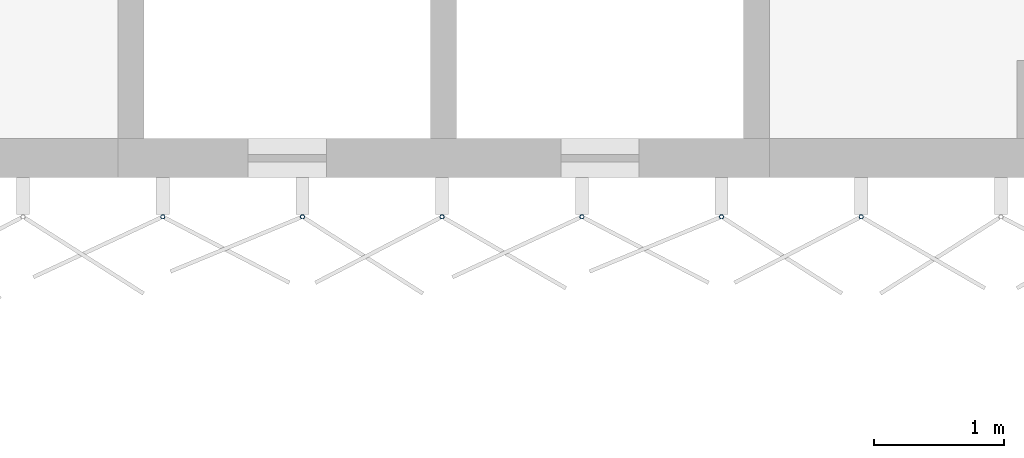
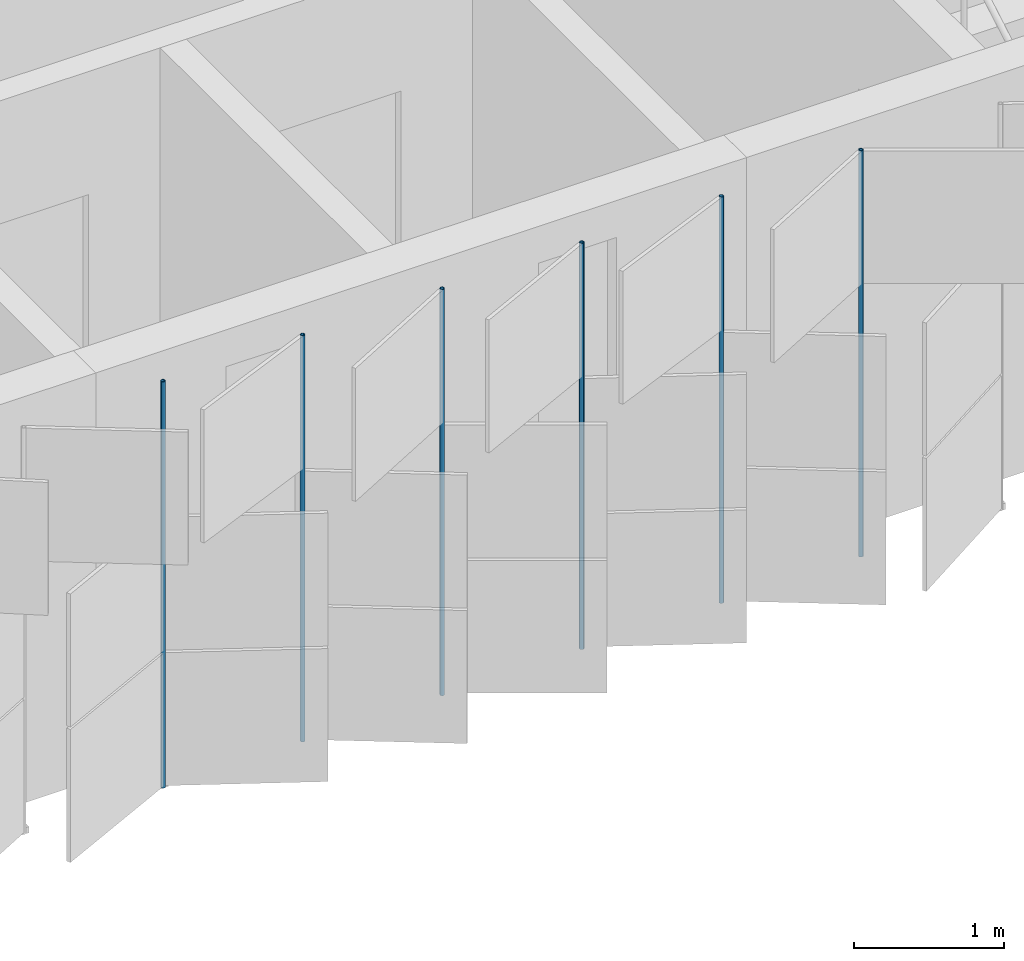
# One storey, part 74 of 198: 6 discrete accessories.
"""IFC4 building model written with IfcOpenShell, lengths in metres."""

from ifc_helpers import new_model, si_unit, direction, frame, origin, origin_2d, place, context, subcontext, project, spatial, hollow_circle, extrude, material, material_profile, profile_set, type_object, element, save


model = new_model("IFC4")

# Units and contexts
model_context = context("Model", 3, precision=1e-05, world=origin(), true_north=direction((0.0, 1.0)))
body_context = subcontext(model_context, "Body", "Model", "MODEL_VIEW")
ifc_project = project(units=[si_unit("LENGTHUNIT", "METRE"), si_unit("AREAUNIT", "SQUARE_METRE"), si_unit("VOLUMEUNIT", "CUBIC_METRE"), si_unit("PLANEANGLEUNIT", "RADIAN"), si_unit("MASSUNIT", "GRAM", prefix="KILO")], contexts=[model_context])

# Site, building, storey
site_placement = place(None, origin())
site = spatial("IfcSite", under=ifc_project, at=site_placement, CompositionType="ELEMENT")
building_placement = place(site_placement, origin())
building = spatial("IfcBuilding", under=site, at=building_placement, Name="Parallax Yard Mobility Hub", CompositionType="ELEMENT")
storey_placement = place(building_placement, frame((0.0, 0.0, 6.60009765625)))
storey = spatial("IfcBuildingStorey", under=building, at=storey_placement, Name="L02", CompositionType="ELEMENT", Elevation=6.60009765625)

# Discrete accessories
ifc_material = material(Name="Steel ASTM A500 Gr C, hot-dip galvanised", Category="steel")
ifc_material_profile = material_profile(ifc_material, hollow_circle(Radius=0.016845703125, WallThickness=0.003173828125, at=origin_2d()), Name="CHS 33.7x3.2")
ifc_profile_set = profile_set([ifc_material_profile], Name="Steel ASTM A500 Gr C, hot-dip galvanised")
discrete_accessory_type = type_object("IfcDiscreteAccessoryType", Name="Hinge post CHS 33.7x3.2", PredefinedType="BRACKET", material=ifc_profile_set)
for number, where, z_axis, x_axis, name in (
    (1, (72.843994140625, 112.199951171875, 0.0), (0.0, 0.0, 1.0), (1.0, 0.0, 0.0), "Hinge post bay 6.6 level L02"),
    (2, (73.916015625, 112.199951171875, 0.0), (0.0, 0.0, 1.0), (1.0, 0.0, 0.0), "Hinge post bay 6.7 level L02"),
    (3, (74.98828125, 112.199951171875, 0.0), (0.0, 0.0, 1.0), (1.0, 0.0, 0.0), "Hinge post bay 6.8 level L02"),
    (4, (76.060546875, 112.199951171875, 0.0), (0.0, 0.0, 1.0), (1.0, 0.0, 0.0), "Hinge post bay 6.9 level L02"),
    (5, (77.1328125, 112.199951171875, 0.0), (0.0, 0.0, 1.0), (1.0, 0.0, 0.0), "Hinge post bay 6.10 level L02"),
    (6, (78.205078125, 112.199951171875, 0.0), (0.0, 0.0, 1.0), (1.0, 0.0, 0.0), "Hinge post bay 6.11 level L02"),
):
    element("IfcDiscreteAccessory", number, at=place(storey_placement, frame(where, z_axis=z_axis, x_axis=x_axis)), inside=storey, type_object=discrete_accessory_type, Name=name, PredefinedType="BRACKET", context=body_context, shape_type="SweptSolid", body=[
        extrude(hollow_circle(Radius=0.016845703125, WallThickness=0.003173828125, at=origin_2d()), origin(), (0.0, 0.0, 1.0), 3.2998046875),
    ])

save(model, "model.ifc")
